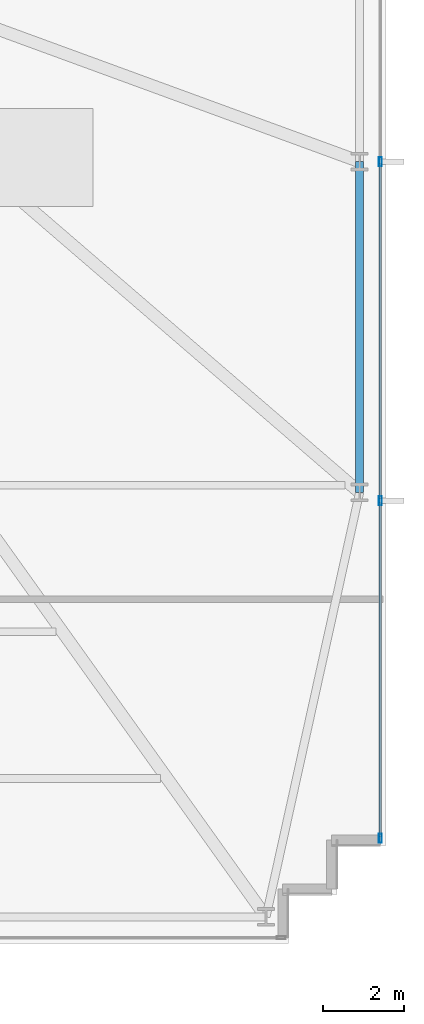
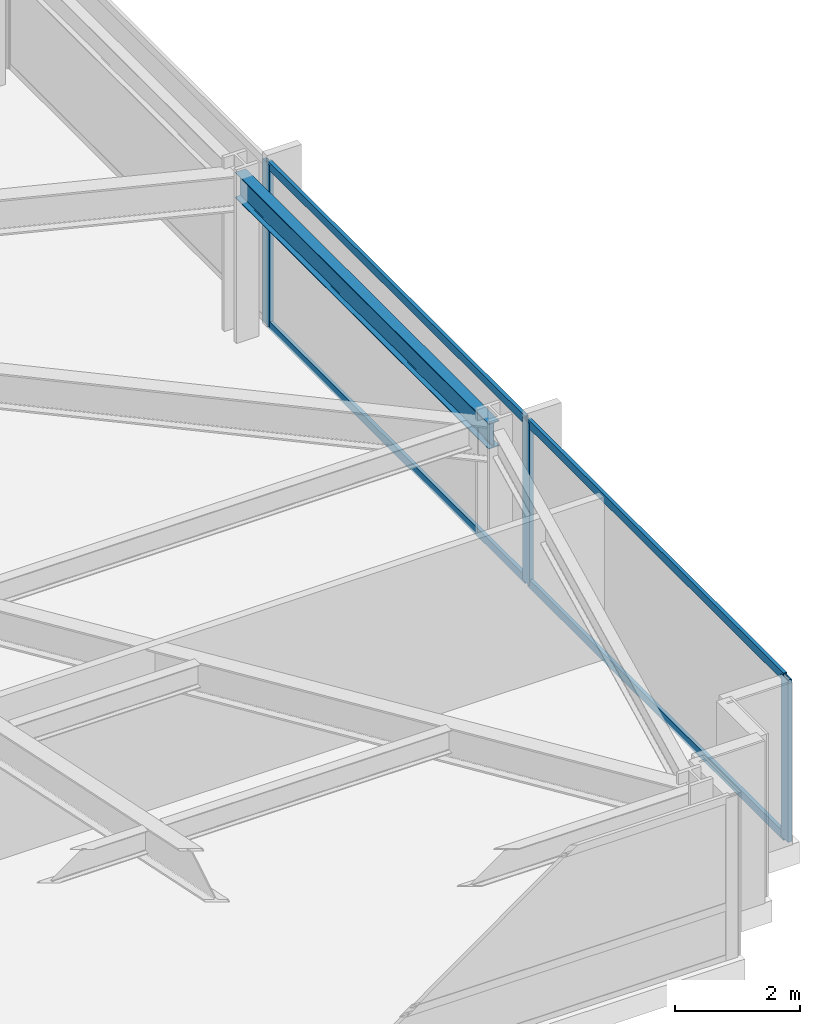
# One storey, part 21 of 31: 7 members, 1 beam, 1 element without a shape of its own.
"""IFC4 building model written with IfcOpenShell, lengths in metres."""

from ifc_helpers import new_model, si_unit, direction, frame, origin, origin_2d, place, context, subcontext, project, spatial, hollow_rectangle, i_section, extrude, material, material_profile, profile_set, type_object, element, aggregate, save


model = new_model("IFC4")

# Units and contexts
model_context = context("Model", 3, precision=1e-05, world=origin(), true_north=direction((0.0, 1.0)))
body_context = subcontext(model_context, "Body", "Model", "MODEL_VIEW")
ifc_project = project(units=[si_unit("LENGTHUNIT", "METRE"), si_unit("AREAUNIT", "SQUARE_METRE"), si_unit("VOLUMEUNIT", "CUBIC_METRE"), si_unit("PLANEANGLEUNIT", "RADIAN"), si_unit("MASSUNIT", "GRAM", prefix="KILO")], contexts=[model_context])

# Site, building, storey
site_placement = place(None, origin())
site = spatial("IfcSite", under=ifc_project, at=site_placement, CompositionType="ELEMENT")
building_placement = place(site_placement, origin())
building = spatial("IfcBuilding", under=site, at=building_placement, Name="Yelkora Congress Tower", CompositionType="ELEMENT")
storey_placement = place(building_placement, frame((0.0, 0.0, 30.39990234375)))
storey = spatial("IfcBuildingStorey", under=building, at=storey_placement, Name="L06", CompositionType="ELEMENT", Elevation=30.39990234375)

# Beam
ifc_material_1 = material(Name="Steel S355J2", Category="steel")
ifc_material_profile_1 = material_profile(ifc_material_1, i_section(OverallWidth=0.199951171875, OverallDepth=0.5, WebThickness=0.01025390625, FlangeThickness=0.01611328125, FilletRadius=0.02099609375, at=origin_2d()), Name="IPE 500")
ifc_profile_set_1 = profile_set([ifc_material_profile_1], Name="Steel S355J2")
beam_type = type_object("IfcBeamType", Name="BM-SPAN-IPE500", PredefinedType="SPANDREL", material=ifc_profile_set_1)
beam_placement = place(storey_placement, frame((70.14990234375, 21.27490234375, 2.93017578125), z_axis=(0.0, 1.0, 0.0), x_axis=(-1.0, 0.0, 0.0)))
element("IfcBeam", 1, at=beam_placement, inside=storey, type_object=beam_type, Name="L06 Perimeter Beam 11", PredefinedType="SPANDREL", context=body_context, shape_type="SweptSolid", body=[
    extrude(i_section(OverallWidth=0.199951171875, OverallDepth=0.5, WebThickness=0.01025390625, FlangeThickness=0.01611328125, FilletRadius=0.02099609375, at=origin_2d()), origin(), (0.0, 0.0, 1.0), 8.125),
])

# Curtain wall, members
ifc_material_2 = material(Name="Anodised aluminium and insulated glass", Category="aluminium")
curtain_wall_type = type_object("IfcCurtainWallType", Name="CW-SYS-B1", PredefinedType="NOTDEFINED", material=ifc_material_2)
curtain_wall_placement = place(storey_placement, origin())
curtain_wall = element("IfcCurtainWall", 2, at=curtain_wall_placement, inside=storey, type_object=curtain_wall_type, Name="L06 Unitised Curtain Wall 15", PredefinedType="NOTDEFINED")
ifc_material_3 = material(Name="Anodised aluminium 6063-T6", Category="aluminium")
ifc_material_profile_2 = material_profile(ifc_material_3, hollow_rectangle(XDim=0.074951171875, YDim=0.219970703125, WallThickness=0.0048828125, at=origin_2d()), Name="ALU 75x220x5")
ifc_profile_set_2 = profile_set([ifc_material_profile_2], Name="Anodised aluminium 6063-T6")
member_type_1 = type_object("IfcMemberType", Name="MEM-ML-B1", PredefinedType="MULLION", material=ifc_profile_set_2)
member_1_placement = place(storey_placement, frame((70.659912109375, 29.39990234375, 0.0), z_axis=(0.0, 0.0, 1.0), x_axis=(1.0, 0.0, 0.0)))
member_1 = element("IfcMember", 3, at=member_1_placement, type_object=member_type_1, Name="CW-B1 mullion 3", PredefinedType="MULLION", context=body_context, shape_type="SweptSolid", body=[
    extrude(hollow_rectangle(XDim=0.074951171875, YDim=0.219970703125, WallThickness=0.0048828125, at=origin_2d()), origin(), (0.0, 0.0, 1.0), 3.18017578125),
])
member_2_placement = place(storey_placement, frame((70.659912109375, 21.070068359375, 0.0), z_axis=(0.0, 0.0, 1.0), x_axis=(1.0, 0.0, 0.0)))
member_2 = element("IfcMember", 4, at=member_2_placement, type_object=member_type_1, Name="CW-B1 mullion 4", PredefinedType="MULLION", context=body_context, shape_type="SweptSolid", body=[
    extrude(hollow_rectangle(XDim=0.074951171875, YDim=0.219970703125, WallThickness=0.0048828125, at=origin_2d()), origin(), (0.0, 0.0, 1.0), 3.18017578125),
])
member_3_placement = place(storey_placement, frame((70.659912109375, 12.777587890625, 0.0), z_axis=(0.0, 0.0, 1.0), x_axis=(1.0, 0.0, 0.0)))
member_3 = element("IfcMember", 5, at=member_3_placement, type_object=member_type_1, Name="CW-B1 mullion 5", PredefinedType="MULLION", context=body_context, shape_type="SweptSolid", body=[
    extrude(hollow_rectangle(XDim=0.074951171875, YDim=0.219970703125, WallThickness=0.0048828125, at=origin_2d()), origin(), (0.0, 0.0, 1.0), 3.18017578125),
])
ifc_material_profile_3 = material_profile(ifc_material_3, hollow_rectangle(XDim=0.06494140625, YDim=0.159912109375, WallThickness=0.00390625, at=origin_2d()), Name="ALU 65x160x4")
ifc_profile_set_3 = profile_set([ifc_material_profile_3], Name="Anodised aluminium 6063-T6")
member_type_2 = type_object("IfcMemberType", Name="MEM-TR-B1", PredefinedType="USERDEFINED", material=ifc_profile_set_3)
member_4_placement = place(storey_placement, frame((70.659912109375, 29.362548828125, 0.03271484375), z_axis=(0.0, -1.0, 0.0), x_axis=(1.0, 0.0, 0.0)))
member_4 = element("IfcMember", 6, at=member_4_placement, type_object=member_type_2, Name="CW-B1 transom 3.1", ObjectType="TRANSOM", PredefinedType="USERDEFINED", context=body_context, shape_type="SweptSolid", body=[
    extrude(hollow_rectangle(XDim=0.06494140625, YDim=0.159912109375, WallThickness=0.00390625, at=origin_2d()), origin(), (0.0, 0.0, 1.0), 8.255126953125),
])
member_5_placement = place(storey_placement, frame((70.659912109375, 29.362548828125, 3.147705078125), z_axis=(0.0, -1.0, 0.0), x_axis=(1.0, 0.0, 0.0)))
member_5 = element("IfcMember", 7, at=member_5_placement, type_object=member_type_2, Name="CW-B1 transom 3.2", ObjectType="TRANSOM", PredefinedType="USERDEFINED", context=body_context, shape_type="SweptSolid", body=[
    extrude(hollow_rectangle(XDim=0.06494140625, YDim=0.159912109375, WallThickness=0.00390625, at=origin_2d()), origin(), (0.0, 0.0, 1.0), 8.255126953125),
])
member_6_placement = place(storey_placement, frame((70.659912109375, 21.032470703125, 0.03271484375), z_axis=(0.0, -1.0, 0.0), x_axis=(1.0, 0.0, 0.0)))
member_6 = element("IfcMember", 8, at=member_6_placement, type_object=member_type_2, Name="CW-B1 transom 4.1", ObjectType="TRANSOM", PredefinedType="USERDEFINED", context=body_context, shape_type="SweptSolid", body=[
    extrude(hollow_rectangle(XDim=0.06494140625, YDim=0.159912109375, WallThickness=0.00390625, at=origin_2d()), origin(), (0.0, 0.0, 1.0), 8.217529296875),
])
member_7_placement = place(storey_placement, frame((70.659912109375, 21.032470703125, 3.147705078125), z_axis=(0.0, -1.0, 0.0), x_axis=(1.0, 0.0, 0.0)))
member_7 = element("IfcMember", 9, at=member_7_placement, type_object=member_type_2, Name="CW-B1 transom 4.2", ObjectType="TRANSOM", PredefinedType="USERDEFINED", context=body_context, shape_type="SweptSolid", body=[
    extrude(hollow_rectangle(XDim=0.06494140625, YDim=0.159912109375, WallThickness=0.00390625, at=origin_2d()), origin(), (0.0, 0.0, 1.0), 8.217529296875),
])
aggregate(curtain_wall, [member_1, member_2, member_3, member_4, member_5, member_6, member_7])

save(model, "model.ifc")
